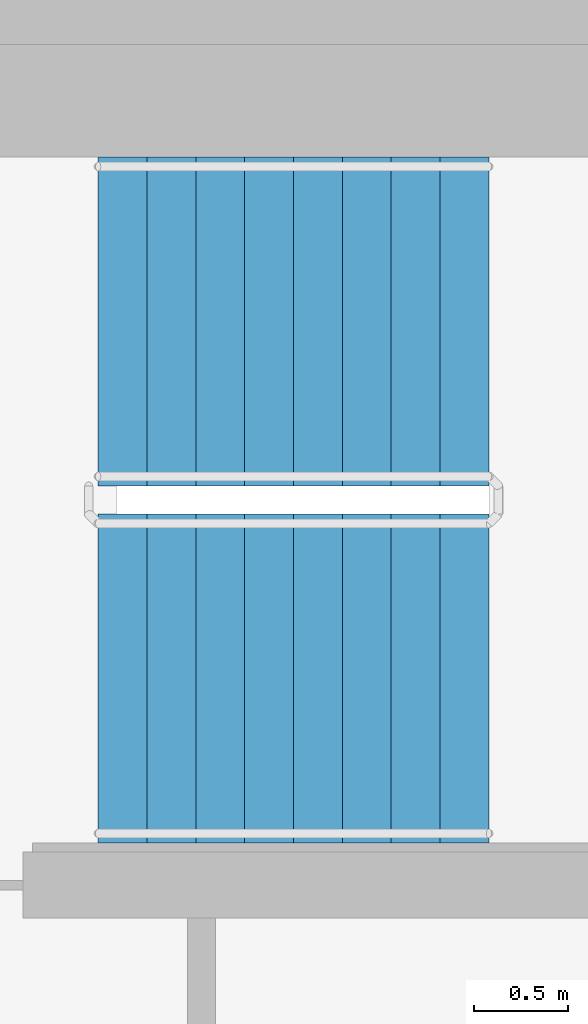
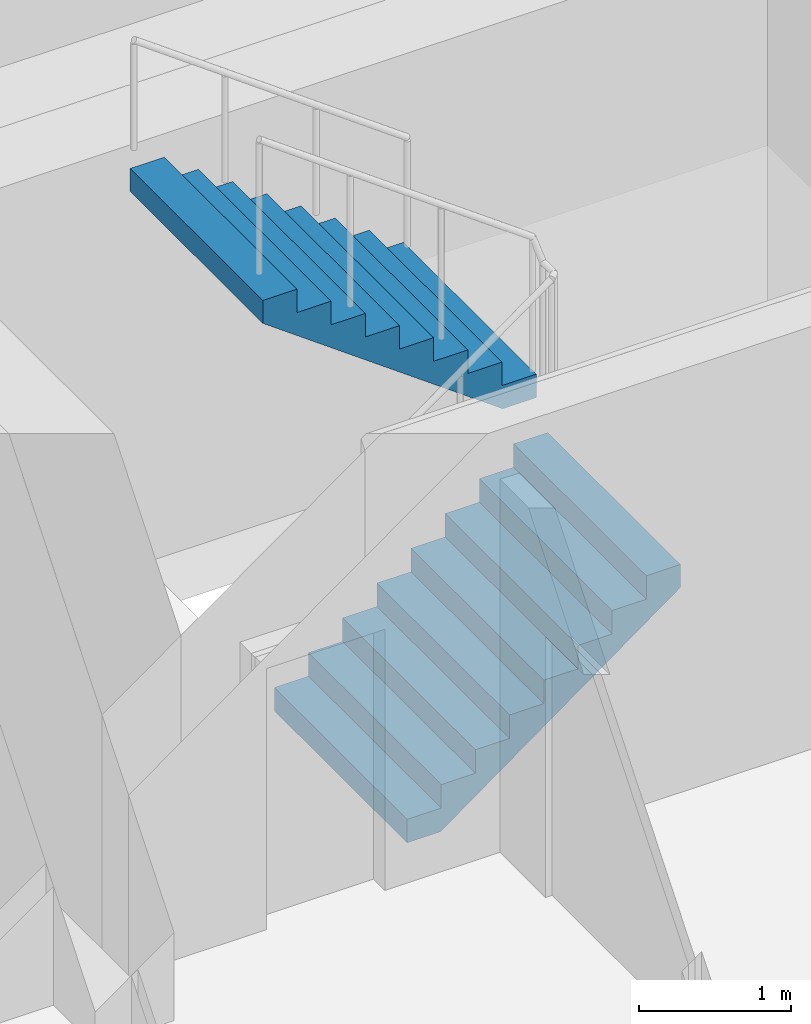
# One storey, part 13 of 18: 2 stair flights, 1 element without a shape of its own.
"""IFC4 building model written with IfcOpenShell, lengths in metres."""

from ifc_helpers import new_model, si_unit, direction, frame, origin, place, context, subcontext, project, spatial, faceted_brep, material, type_object, element, aggregate, save


model = new_model("IFC4")

# Units and contexts
model_context = context("Model", 3, precision=1e-05, world=origin(), true_north=direction((0.0, 1.0)))
body_context = subcontext(model_context, "Body", "Model", "MODEL_VIEW")
ifc_project = project(units=[si_unit("LENGTHUNIT", "METRE"), si_unit("AREAUNIT", "SQUARE_METRE"), si_unit("VOLUMEUNIT", "CUBIC_METRE"), si_unit("PLANEANGLEUNIT", "RADIAN"), si_unit("MASSUNIT", "GRAM", prefix="KILO")], contexts=[model_context])

# Site, building, storey
site_placement = place(None, origin())
site = spatial("IfcSite", under=ifc_project, at=site_placement, CompositionType="ELEMENT")
building_placement = place(site_placement, origin())
building = spatial("IfcBuilding", under=site, at=building_placement, Name="Ipe Terrace Towers", CompositionType="ELEMENT")
storey_placement = place(building_placement, frame((0.0, 0.0, 206.199951171875)))
storey = spatial("IfcBuildingStorey", under=building, at=storey_placement, Name="L57", CompositionType="ELEMENT", Elevation=206.199951171875)

# Stair, stair flights
ifc_material_1 = material(Name="Concrete C30/37", Category="concrete")
stair_type = type_object("IfcStairType", Name="Protected exit stair", PredefinedType="HALF_TURN_STAIR", material=ifc_material_1)
stair_placement = place(storey_placement, origin())
stair = element("IfcStair", 1, at=stair_placement, inside=storey, type_object=stair_type, Name="L57 Exit stair T1-C1", PredefinedType="HALF_TURN_STAIR")
ifc_material_2 = material(Name="Concrete C30/37", Category="concrete")
stair_flight_type = type_object("IfcStairFlightType", Name="Exit stair flight 1750", PredefinedType="STRAIGHT", material=ifc_material_2)
stair_flight_1_placement = place(storey_placement, frame((-26.300048828125, 2.77490234375, 0.0), z_axis=(0.0, 0.0, 1.0), x_axis=(1.0, 0.0, 0.0)))
stair_flight_1 = element("IfcStairFlight", 2, at=stair_flight_1_placement, type_object=stair_flight_type, Name="T1-ST1 flight 1", NumberOfRisers=9, NumberOfTreads=8, PredefinedType="STRAIGHT", RiserHeight=0.188888889, TreadLength=0.26, context=body_context, shape_type="Brep", body=[
    faceted_brep([(0.255126953125, -0.875, 0.0), (2.080078125, -0.875, 1.325927734375), (2.080078125, -0.875, 1.51123046875), (1.820068359375, -0.875, 1.51123046875), (1.820068359375, -0.875, 1.322265625), (1.56005859375, -0.875, 1.322265625), (1.56005859375, -0.875, 1.13330078125), (1.300048828125, -0.875, 1.13330078125), (1.300048828125, -0.875, 0.9443359375), (1.0400390625, -0.875, 0.9443359375), (1.0400390625, -0.875, 0.755615234375), (0.780029296875, -0.875, 0.755615234375), (0.780029296875, -0.875, 0.566650390625), (0.52001953125, -0.875, 0.566650390625), (0.52001953125, -0.875, 0.377685546875), (0.260009765625, -0.875, 0.377685546875), (0.260009765625, -0.875, 0.18896484375), (0.0, -0.875, 0.18896484375), (0.0, -0.875, 0.0), (0.0, 0.875, 0.0), (0.0, 0.875, 0.18896484375), (0.260009765625, 0.875, 0.18896484375), (0.260009765625, 0.875, 0.377685546875), (0.52001953125, 0.875, 0.377685546875), (0.52001953125, 0.875, 0.566650390625), (0.780029296875, 0.875, 0.566650390625), (0.780029296875, 0.875, 0.755615234375), (1.0400390625, 0.875, 0.755615234375), (1.0400390625, 0.875, 0.9443359375), (1.300048828125, 0.875, 0.9443359375), (1.300048828125, 0.875, 1.13330078125), (1.56005859375, 0.875, 1.13330078125), (1.56005859375, 0.875, 1.322265625), (1.820068359375, 0.875, 1.322265625), (1.820068359375, 0.875, 1.51123046875), (2.080078125, 0.875, 1.51123046875), (2.080078125, 0.875, 1.325927734375), (0.255126953125, 0.875, 0.0), (0.0, -0.300048828125, 0.18896484375), (0.0, -0.1201171875, 0.18896484375), (0.0, -0.06005859375, 0.18896484375), (0.0, -0.030029296875, 0.18896484375), (0.0, -0.010009765625, 0.18896484375), (0.0, 0.0, 0.18896484375), (0.0, 0.010009765625, 0.18896484375), (0.0, 0.030029296875, 0.18896484375), (0.0, 0.06005859375, 0.18896484375), (0.0, 0.1201171875, 0.18896484375), (0.0, 0.300048828125, 0.18896484375), (0.0, 0.300048828125, 0.0), (0.0, 0.1201171875, 0.0), (0.0, 0.06005859375, 0.0), (0.0, 0.030029296875, 0.0), (0.0, 0.010009765625, 0.0), (0.0, 0.0, 0.0), (0.0, -0.010009765625, 0.0), (0.0, -0.030029296875, 0.0), (0.0, -0.06005859375, 0.0), (0.0, -0.1201171875, 0.0), (0.0, -0.300048828125, 0.0), (0.260009765625, -0.300048828125, 0.18896484375), (0.260009765625, -0.1201171875, 0.18896484375), (0.260009765625, -0.06005859375, 0.18896484375), (0.260009765625, -0.030029296875, 0.18896484375), (0.260009765625, -0.010009765625, 0.18896484375), (0.260009765625, 0.0, 0.18896484375), (0.260009765625, 0.010009765625, 0.18896484375), (0.260009765625, 0.030029296875, 0.18896484375), (0.260009765625, 0.06005859375, 0.18896484375), (0.260009765625, 0.1201171875, 0.18896484375), (0.260009765625, 0.300048828125, 0.18896484375), (0.260009765625, -0.300048828125, 0.377685546875), (0.260009765625, -0.1201171875, 0.377685546875), (0.260009765625, -0.06005859375, 0.377685546875), (0.260009765625, -0.030029296875, 0.377685546875), (0.260009765625, -0.010009765625, 0.377685546875), (0.260009765625, 0.0, 0.377685546875), (0.260009765625, 0.010009765625, 0.377685546875), (0.260009765625, 0.030029296875, 0.377685546875), (0.260009765625, 0.06005859375, 0.377685546875), (0.260009765625, 0.1201171875, 0.377685546875), (0.260009765625, 0.300048828125, 0.377685546875), (0.52001953125, -0.300048828125, 0.377685546875), (0.52001953125, -0.1201171875, 0.377685546875), (0.52001953125, -0.06005859375, 0.377685546875), (0.52001953125, -0.030029296875, 0.377685546875), (0.52001953125, -0.010009765625, 0.377685546875), (0.52001953125, 0.0, 0.377685546875), (0.52001953125, 0.010009765625, 0.377685546875), (0.52001953125, 0.030029296875, 0.377685546875), (0.52001953125, 0.06005859375, 0.377685546875), (0.52001953125, 0.1201171875, 0.377685546875), (0.52001953125, 0.300048828125, 0.377685546875), (0.52001953125, -0.300048828125, 0.566650390625), (0.52001953125, -0.1201171875, 0.566650390625), (0.52001953125, -0.06005859375, 0.566650390625), (0.52001953125, -0.030029296875, 0.566650390625), (0.52001953125, -0.010009765625, 0.566650390625), (0.52001953125, 0.0, 0.566650390625), (0.52001953125, 0.010009765625, 0.566650390625), (0.52001953125, 0.030029296875, 0.566650390625), (0.52001953125, 0.06005859375, 0.566650390625), (0.52001953125, 0.1201171875, 0.566650390625), (0.52001953125, 0.300048828125, 0.566650390625), (0.780029296875, -0.300048828125, 0.566650390625), (0.780029296875, -0.1201171875, 0.566650390625), (0.780029296875, -0.06005859375, 0.566650390625), (0.780029296875, -0.030029296875, 0.566650390625), (0.780029296875, -0.010009765625, 0.566650390625), (0.780029296875, 0.0, 0.566650390625), (0.780029296875, 0.010009765625, 0.566650390625), (0.780029296875, 0.030029296875, 0.566650390625), (0.780029296875, 0.06005859375, 0.566650390625), (0.780029296875, 0.1201171875, 0.566650390625), (0.780029296875, 0.300048828125, 0.566650390625), (0.780029296875, -0.300048828125, 0.755615234375), (0.780029296875, -0.1201171875, 0.755615234375), (0.780029296875, -0.06005859375, 0.755615234375), (0.780029296875, -0.030029296875, 0.755615234375), (0.780029296875, -0.010009765625, 0.755615234375), (0.780029296875, 0.0, 0.755615234375), (0.780029296875, 0.010009765625, 0.755615234375), (0.780029296875, 0.030029296875, 0.755615234375), (0.780029296875, 0.06005859375, 0.755615234375), (0.780029296875, 0.1201171875, 0.755615234375), (0.780029296875, 0.300048828125, 0.755615234375), (1.0400390625, -0.300048828125, 0.755615234375), (1.0400390625, -0.1201171875, 0.755615234375), (1.0400390625, -0.06005859375, 0.755615234375), (1.0400390625, -0.030029296875, 0.755615234375), (1.0400390625, -0.010009765625, 0.755615234375), (1.0400390625, 0.0, 0.755615234375), (1.0400390625, 0.010009765625, 0.755615234375), (1.0400390625, 0.030029296875, 0.755615234375), (1.0400390625, 0.06005859375, 0.755615234375), (1.0400390625, 0.1201171875, 0.755615234375), (1.0400390625, 0.300048828125, 0.755615234375), (1.0400390625, -0.300048828125, 0.9443359375), (1.0400390625, -0.1201171875, 0.9443359375), (1.0400390625, -0.06005859375, 0.9443359375), (1.0400390625, -0.030029296875, 0.9443359375), (1.0400390625, -0.010009765625, 0.9443359375), (1.0400390625, 0.0, 0.9443359375), (1.0400390625, 0.010009765625, 0.9443359375), (1.0400390625, 0.030029296875, 0.9443359375), (1.0400390625, 0.06005859375, 0.9443359375), (1.0400390625, 0.1201171875, 0.9443359375), (1.0400390625, 0.300048828125, 0.9443359375), (1.300048828125, -0.300048828125, 0.9443359375), (1.300048828125, -0.1201171875, 0.9443359375), (1.300048828125, -0.06005859375, 0.9443359375), (1.300048828125, -0.030029296875, 0.9443359375), (1.300048828125, -0.010009765625, 0.9443359375), (1.300048828125, 0.0, 0.9443359375), (1.300048828125, 0.010009765625, 0.9443359375), (1.300048828125, 0.030029296875, 0.9443359375), (1.300048828125, 0.06005859375, 0.9443359375), (1.300048828125, 0.1201171875, 0.9443359375), (1.300048828125, 0.300048828125, 0.9443359375), (1.300048828125, -0.300048828125, 1.13330078125), (1.300048828125, -0.1201171875, 1.13330078125), (1.300048828125, -0.06005859375, 1.13330078125), (1.300048828125, -0.030029296875, 1.13330078125), (1.300048828125, -0.010009765625, 1.13330078125), (1.300048828125, 0.0, 1.13330078125), (1.300048828125, 0.010009765625, 1.13330078125), (1.300048828125, 0.030029296875, 1.13330078125), (1.300048828125, 0.06005859375, 1.13330078125), (1.300048828125, 0.1201171875, 1.13330078125), (1.300048828125, 0.300048828125, 1.13330078125), (1.56005859375, -0.300048828125, 1.13330078125), (1.56005859375, -0.1201171875, 1.13330078125), (1.56005859375, -0.06005859375, 1.13330078125), (1.56005859375, -0.030029296875, 1.13330078125), (1.56005859375, -0.010009765625, 1.13330078125), (1.56005859375, 0.0, 1.13330078125), (1.56005859375, 0.010009765625, 1.13330078125), (1.56005859375, 0.030029296875, 1.13330078125), (1.56005859375, 0.06005859375, 1.13330078125), (1.56005859375, 0.1201171875, 1.13330078125), (1.56005859375, 0.300048828125, 1.13330078125), (1.56005859375, -0.300048828125, 1.322265625), (1.56005859375, -0.1201171875, 1.322265625), (1.56005859375, -0.06005859375, 1.322265625), (1.56005859375, -0.030029296875, 1.322265625), (1.56005859375, -0.010009765625, 1.322265625), (1.56005859375, 0.0, 1.322265625), (1.56005859375, 0.010009765625, 1.322265625), (1.56005859375, 0.030029296875, 1.322265625), (1.56005859375, 0.06005859375, 1.322265625), (1.56005859375, 0.1201171875, 1.322265625), (1.56005859375, 0.300048828125, 1.322265625), (1.820068359375, -0.300048828125, 1.322265625), (1.820068359375, -0.1201171875, 1.322265625), (1.820068359375, -0.06005859375, 1.322265625), (1.820068359375, -0.030029296875, 1.322265625), (1.820068359375, -0.010009765625, 1.322265625), (1.820068359375, 0.0, 1.322265625), (1.820068359375, 0.010009765625, 1.322265625), (1.820068359375, 0.030029296875, 1.322265625), (1.820068359375, 0.06005859375, 1.322265625), (1.820068359375, 0.1201171875, 1.322265625), (1.820068359375, 0.300048828125, 1.322265625), (1.820068359375, -0.300048828125, 1.51123046875), (1.820068359375, -0.1201171875, 1.51123046875), (1.820068359375, -0.06005859375, 1.51123046875), (1.820068359375, -0.030029296875, 1.51123046875), (1.820068359375, -0.010009765625, 1.51123046875), (1.820068359375, 0.0, 1.51123046875), (1.820068359375, 0.010009765625, 1.51123046875), (1.820068359375, 0.030029296875, 1.51123046875), (1.820068359375, 0.06005859375, 1.51123046875), (1.820068359375, 0.1201171875, 1.51123046875), (1.820068359375, 0.300048828125, 1.51123046875), (2.080078125, -0.300048828125, 1.51123046875), (2.080078125, -0.1201171875, 1.51123046875), (2.080078125, -0.06005859375, 1.51123046875), (2.080078125, -0.030029296875, 1.51123046875), (2.080078125, -0.010009765625, 1.51123046875), (2.080078125, 0.0, 1.51123046875), (2.080078125, 0.010009765625, 1.51123046875), (2.080078125, 0.030029296875, 1.51123046875), (2.080078125, 0.06005859375, 1.51123046875), (2.080078125, 0.1201171875, 1.51123046875), (2.080078125, 0.300048828125, 1.51123046875), (2.080078125, -0.300048828125, 1.325927734375), (2.080078125, -0.1201171875, 1.325927734375), (2.080078125, -0.06005859375, 1.325927734375), (2.080078125, -0.030029296875, 1.325927734375), (2.080078125, -0.010009765625, 1.325927734375), (2.080078125, 0.0, 1.325927734375), (2.080078125, 0.010009765625, 1.325927734375), (2.080078125, 0.030029296875, 1.325927734375), (2.080078125, 0.06005859375, 1.325927734375), (2.080078125, 0.1201171875, 1.325927734375), (2.080078125, 0.300048828125, 1.325927734375), (0.255126953125, -0.300048828125, 0.0), (0.255126953125, -0.1201171875, 0.0), (0.255126953125, -0.06005859375, 0.0), (0.255126953125, -0.030029296875, 0.0), (0.255126953125, -0.010009765625, 0.0), (0.255126953125, 0.0, 0.0), (0.255126953125, 0.010009765625, 0.0), (0.255126953125, 0.030029296875, 0.0), (0.255126953125, 0.06005859375, 0.0), (0.255126953125, 0.1201171875, 0.0), (0.255126953125, 0.300048828125, 0.0)], [[[0, 1, 2, 3, 4, 5, 6, 7, 8, 9, 10, 11, 12, 13, 14, 15, 16, 17, 18]], [[19, 20, 21, 22, 23, 24, 25, 26, 27, 28, 29, 30, 31, 32, 33, 34, 35, 36, 37]], [[17, 38, 39, 40, 41, 42, 43, 44, 45, 46, 47, 48, 20, 19, 49, 50, 51, 52, 53, 54, 55, 56, 57, 58, 59, 18]], [[16, 60, 61, 62, 63, 64, 65, 66, 67, 68, 69, 70, 21, 20, 48, 47, 46, 45, 44, 43, 42, 41, 40, 39, 38, 17]], [[15, 71, 72, 73, 74, 75, 76, 77, 78, 79, 80, 81, 22, 21, 70, 69, 68, 67, 66, 65, 64, 63, 62, 61, 60, 16]], [[14, 82, 83, 84, 85, 86, 87, 88, 89, 90, 91, 92, 23, 22, 81, 80, 79, 78, 77, 76, 75, 74, 73, 72, 71, 15]], [[13, 93, 94, 95, 96, 97, 98, 99, 100, 101, 102, 103, 24, 23, 92, 91, 90, 89, 88, 87, 86, 85, 84, 83, 82, 14]], [[12, 104, 105, 106, 107, 108, 109, 110, 111, 112, 113, 114, 25, 24, 103, 102, 101, 100, 99, 98, 97, 96, 95, 94, 93, 13]], [[11, 115, 116, 117, 118, 119, 120, 121, 122, 123, 124, 125, 26, 25, 114, 113, 112, 111, 110, 109, 108, 107, 106, 105, 104, 12]], [[10, 126, 127, 128, 129, 130, 131, 132, 133, 134, 135, 136, 27, 26, 125, 124, 123, 122, 121, 120, 119, 118, 117, 116, 115, 11]], [[9, 137, 138, 139, 140, 141, 142, 143, 144, 145, 146, 147, 28, 27, 136, 135, 134, 133, 132, 131, 130, 129, 128, 127, 126, 10]], [[8, 148, 149, 150, 151, 152, 153, 154, 155, 156, 157, 158, 29, 28, 147, 146, 145, 144, 143, 142, 141, 140, 139, 138, 137, 9]], [[7, 159, 160, 161, 162, 163, 164, 165, 166, 167, 168, 169, 30, 29, 158, 157, 156, 155, 154, 153, 152, 151, 150, 149, 148, 8]], [[6, 170, 171, 172, 173, 174, 175, 176, 177, 178, 179, 180, 31, 30, 169, 168, 167, 166, 165, 164, 163, 162, 161, 160, 159, 7]], [[5, 181, 182, 183, 184, 185, 186, 187, 188, 189, 190, 191, 32, 31, 180, 179, 178, 177, 176, 175, 174, 173, 172, 171, 170, 6]], [[4, 192, 193, 194, 195, 196, 197, 198, 199, 200, 201, 202, 33, 32, 191, 190, 189, 188, 187, 186, 185, 184, 183, 182, 181, 5]], [[3, 203, 204, 205, 206, 207, 208, 209, 210, 211, 212, 213, 34, 33, 202, 201, 200, 199, 198, 197, 196, 195, 194, 193, 192, 4]], [[2, 214, 215, 216, 217, 218, 219, 220, 221, 222, 223, 224, 35, 34, 213, 212, 211, 210, 209, 208, 207, 206, 205, 204, 203, 3]], [[1, 225, 226, 227, 228, 229, 230, 231, 232, 233, 234, 235, 36, 35, 224, 223, 222, 221, 220, 219, 218, 217, 216, 215, 214, 2]], [[0, 236, 237, 238, 239, 240, 241, 242, 243, 244, 245, 246, 37, 36, 235, 234, 233, 232, 231, 230, 229, 228, 227, 226, 225, 1]], [[18, 59, 58, 57, 56, 55, 54, 53, 52, 51, 50, 49, 19, 37, 246, 245, 244, 243, 242, 241, 240, 239, 238, 237, 236, 0]]]),
])
stair_flight_2_placement = place(storey_placement, frame((-24.219970703125, 4.675048828125, 1.699951171875), z_axis=(0.0, 0.0, 1.0), x_axis=(-1.0, 0.0, 0.0)))
stair_flight_2 = element("IfcStairFlight", 3, at=stair_flight_2_placement, type_object=stair_flight_type, Name="T1-ST1 flight 2", NumberOfRisers=9, NumberOfTreads=8, PredefinedType="STRAIGHT", RiserHeight=0.188888889, TreadLength=0.26, context=body_context, shape_type="Brep", body=[
    faceted_brep([(0.255126953125, -0.875, 0.0), (2.080078125, -0.875, 1.325927734375), (2.080078125, -0.875, 1.51123046875), (1.820068359375, -0.875, 1.51123046875), (1.820068359375, -0.875, 1.322265625), (1.56005859375, -0.875, 1.322265625), (1.56005859375, -0.875, 1.13330078125), (1.300048828125, -0.875, 1.13330078125), (1.300048828125, -0.875, 0.9443359375), (1.0400390625, -0.875, 0.9443359375), (1.0400390625, -0.875, 0.755615234375), (0.780029296875, -0.875, 0.755615234375), (0.780029296875, -0.875, 0.566650390625), (0.52001953125, -0.875, 0.566650390625), (0.52001953125, -0.875, 0.377685546875), (0.260009765625, -0.875, 0.377685546875), (0.260009765625, -0.875, 0.18896484375), (0.0, -0.875, 0.18896484375), (0.0, -0.875, 0.0), (0.0, 0.875, 0.0), (0.0, 0.875, 0.18896484375), (0.260009765625, 0.875, 0.18896484375), (0.260009765625, 0.875, 0.377685546875), (0.52001953125, 0.875, 0.377685546875), (0.52001953125, 0.875, 0.566650390625), (0.780029296875, 0.875, 0.566650390625), (0.780029296875, 0.875, 0.755615234375), (1.0400390625, 0.875, 0.755615234375), (1.0400390625, 0.875, 0.9443359375), (1.300048828125, 0.875, 0.9443359375), (1.300048828125, 0.875, 1.13330078125), (1.56005859375, 0.875, 1.13330078125), (1.56005859375, 0.875, 1.322265625), (1.820068359375, 0.875, 1.322265625), (1.820068359375, 0.875, 1.51123046875), (2.080078125, 0.875, 1.51123046875), (2.080078125, 0.875, 1.325927734375), (0.255126953125, 0.875, 0.0), (0.0, -0.300048828125, 0.18896484375), (0.0, -0.1201171875, 0.18896484375), (0.0, -0.06005859375, 0.18896484375), (0.0, -0.030029296875, 0.18896484375), (0.0, -0.010009765625, 0.18896484375), (0.0, 0.0, 0.18896484375), (0.0, 0.010009765625, 0.18896484375), (0.0, 0.030029296875, 0.18896484375), (0.0, 0.06005859375, 0.18896484375), (0.0, 0.1201171875, 0.18896484375), (0.0, 0.300048828125, 0.18896484375), (0.0, 0.300048828125, 0.0), (0.0, 0.1201171875, 0.0), (0.0, 0.06005859375, 0.0), (0.0, 0.030029296875, 0.0), (0.0, 0.010009765625, 0.0), (0.0, 0.0, 0.0), (0.0, -0.010009765625, 0.0), (0.0, -0.030029296875, 0.0), (0.0, -0.06005859375, 0.0), (0.0, -0.1201171875, 0.0), (0.0, -0.300048828125, 0.0), (0.260009765625, -0.300048828125, 0.18896484375), (0.260009765625, -0.1201171875, 0.18896484375), (0.260009765625, -0.06005859375, 0.18896484375), (0.260009765625, -0.030029296875, 0.18896484375), (0.260009765625, -0.010009765625, 0.18896484375), (0.260009765625, 0.0, 0.18896484375), (0.260009765625, 0.010009765625, 0.18896484375), (0.260009765625, 0.030029296875, 0.18896484375), (0.260009765625, 0.06005859375, 0.18896484375), (0.260009765625, 0.1201171875, 0.18896484375), (0.260009765625, 0.300048828125, 0.18896484375), (0.260009765625, -0.300048828125, 0.377685546875), (0.260009765625, -0.1201171875, 0.377685546875), (0.260009765625, -0.06005859375, 0.377685546875), (0.260009765625, -0.030029296875, 0.377685546875), (0.260009765625, -0.010009765625, 0.377685546875), (0.260009765625, 0.0, 0.377685546875), (0.260009765625, 0.010009765625, 0.377685546875), (0.260009765625, 0.030029296875, 0.377685546875), (0.260009765625, 0.06005859375, 0.377685546875), (0.260009765625, 0.1201171875, 0.377685546875), (0.260009765625, 0.300048828125, 0.377685546875), (0.52001953125, -0.300048828125, 0.377685546875), (0.52001953125, -0.1201171875, 0.377685546875), (0.52001953125, -0.06005859375, 0.377685546875), (0.52001953125, -0.030029296875, 0.377685546875), (0.52001953125, -0.010009765625, 0.377685546875), (0.52001953125, 0.0, 0.377685546875), (0.52001953125, 0.010009765625, 0.377685546875), (0.52001953125, 0.030029296875, 0.377685546875), (0.52001953125, 0.06005859375, 0.377685546875), (0.52001953125, 0.1201171875, 0.377685546875), (0.52001953125, 0.300048828125, 0.377685546875), (0.52001953125, -0.300048828125, 0.566650390625), (0.52001953125, -0.1201171875, 0.566650390625), (0.52001953125, -0.06005859375, 0.566650390625), (0.52001953125, -0.030029296875, 0.566650390625), (0.52001953125, -0.010009765625, 0.566650390625), (0.52001953125, 0.0, 0.566650390625), (0.52001953125, 0.010009765625, 0.566650390625), (0.52001953125, 0.030029296875, 0.566650390625), (0.52001953125, 0.06005859375, 0.566650390625), (0.52001953125, 0.1201171875, 0.566650390625), (0.52001953125, 0.300048828125, 0.566650390625), (0.780029296875, -0.300048828125, 0.566650390625), (0.780029296875, -0.1201171875, 0.566650390625), (0.780029296875, -0.06005859375, 0.566650390625), (0.780029296875, -0.030029296875, 0.566650390625), (0.780029296875, -0.010009765625, 0.566650390625), (0.780029296875, 0.0, 0.566650390625), (0.780029296875, 0.010009765625, 0.566650390625), (0.780029296875, 0.030029296875, 0.566650390625), (0.780029296875, 0.06005859375, 0.566650390625), (0.780029296875, 0.1201171875, 0.566650390625), (0.780029296875, 0.300048828125, 0.566650390625), (0.780029296875, -0.300048828125, 0.755615234375), (0.780029296875, -0.1201171875, 0.755615234375), (0.780029296875, -0.06005859375, 0.755615234375), (0.780029296875, -0.030029296875, 0.755615234375), (0.780029296875, -0.010009765625, 0.755615234375), (0.780029296875, 0.0, 0.755615234375), (0.780029296875, 0.010009765625, 0.755615234375), (0.780029296875, 0.030029296875, 0.755615234375), (0.780029296875, 0.06005859375, 0.755615234375), (0.780029296875, 0.1201171875, 0.755615234375), (0.780029296875, 0.300048828125, 0.755615234375), (1.0400390625, -0.300048828125, 0.755615234375), (1.0400390625, -0.1201171875, 0.755615234375), (1.0400390625, -0.06005859375, 0.755615234375), (1.0400390625, -0.030029296875, 0.755615234375), (1.0400390625, -0.010009765625, 0.755615234375), (1.0400390625, 0.0, 0.755615234375), (1.0400390625, 0.010009765625, 0.755615234375), (1.0400390625, 0.030029296875, 0.755615234375), (1.0400390625, 0.06005859375, 0.755615234375), (1.0400390625, 0.1201171875, 0.755615234375), (1.0400390625, 0.300048828125, 0.755615234375), (1.0400390625, -0.300048828125, 0.9443359375), (1.0400390625, -0.1201171875, 0.9443359375), (1.0400390625, -0.06005859375, 0.9443359375), (1.0400390625, -0.030029296875, 0.9443359375), (1.0400390625, -0.010009765625, 0.9443359375), (1.0400390625, 0.0, 0.9443359375), (1.0400390625, 0.010009765625, 0.9443359375), (1.0400390625, 0.030029296875, 0.9443359375), (1.0400390625, 0.06005859375, 0.9443359375), (1.0400390625, 0.1201171875, 0.9443359375), (1.0400390625, 0.300048828125, 0.9443359375), (1.300048828125, -0.300048828125, 0.9443359375), (1.300048828125, -0.1201171875, 0.9443359375), (1.300048828125, -0.06005859375, 0.9443359375), (1.300048828125, -0.030029296875, 0.9443359375), (1.300048828125, -0.010009765625, 0.9443359375), (1.300048828125, 0.0, 0.9443359375), (1.300048828125, 0.010009765625, 0.9443359375), (1.300048828125, 0.030029296875, 0.9443359375), (1.300048828125, 0.06005859375, 0.9443359375), (1.300048828125, 0.1201171875, 0.9443359375), (1.300048828125, 0.300048828125, 0.9443359375), (1.300048828125, -0.300048828125, 1.13330078125), (1.300048828125, -0.1201171875, 1.13330078125), (1.300048828125, -0.06005859375, 1.13330078125), (1.300048828125, -0.030029296875, 1.13330078125), (1.300048828125, -0.010009765625, 1.13330078125), (1.300048828125, 0.0, 1.13330078125), (1.300048828125, 0.010009765625, 1.13330078125), (1.300048828125, 0.030029296875, 1.13330078125), (1.300048828125, 0.06005859375, 1.13330078125), (1.300048828125, 0.1201171875, 1.13330078125), (1.300048828125, 0.300048828125, 1.13330078125), (1.56005859375, -0.300048828125, 1.13330078125), (1.56005859375, -0.1201171875, 1.13330078125), (1.56005859375, -0.06005859375, 1.13330078125), (1.56005859375, -0.030029296875, 1.13330078125), (1.56005859375, -0.010009765625, 1.13330078125), (1.56005859375, 0.0, 1.13330078125), (1.56005859375, 0.010009765625, 1.13330078125), (1.56005859375, 0.030029296875, 1.13330078125), (1.56005859375, 0.06005859375, 1.13330078125), (1.56005859375, 0.1201171875, 1.13330078125), (1.56005859375, 0.300048828125, 1.13330078125), (1.56005859375, -0.300048828125, 1.322265625), (1.56005859375, -0.1201171875, 1.322265625), (1.56005859375, -0.06005859375, 1.322265625), (1.56005859375, -0.030029296875, 1.322265625), (1.56005859375, -0.010009765625, 1.322265625), (1.56005859375, 0.0, 1.322265625), (1.56005859375, 0.010009765625, 1.322265625), (1.56005859375, 0.030029296875, 1.322265625), (1.56005859375, 0.06005859375, 1.322265625), (1.56005859375, 0.1201171875, 1.322265625), (1.56005859375, 0.300048828125, 1.322265625), (1.820068359375, -0.300048828125, 1.322265625), (1.820068359375, -0.1201171875, 1.322265625), (1.820068359375, -0.06005859375, 1.322265625), (1.820068359375, -0.030029296875, 1.322265625), (1.820068359375, -0.010009765625, 1.322265625), (1.820068359375, 0.0, 1.322265625), (1.820068359375, 0.010009765625, 1.322265625), (1.820068359375, 0.030029296875, 1.322265625), (1.820068359375, 0.06005859375, 1.322265625), (1.820068359375, 0.1201171875, 1.322265625), (1.820068359375, 0.300048828125, 1.322265625), (1.820068359375, -0.300048828125, 1.51123046875), (1.820068359375, -0.1201171875, 1.51123046875), (1.820068359375, -0.06005859375, 1.51123046875), (1.820068359375, -0.030029296875, 1.51123046875), (1.820068359375, -0.010009765625, 1.51123046875), (1.820068359375, 0.0, 1.51123046875), (1.820068359375, 0.010009765625, 1.51123046875), (1.820068359375, 0.030029296875, 1.51123046875), (1.820068359375, 0.06005859375, 1.51123046875), (1.820068359375, 0.1201171875, 1.51123046875), (1.820068359375, 0.300048828125, 1.51123046875), (2.080078125, -0.300048828125, 1.51123046875), (2.080078125, -0.1201171875, 1.51123046875), (2.080078125, -0.06005859375, 1.51123046875), (2.080078125, -0.030029296875, 1.51123046875), (2.080078125, -0.010009765625, 1.51123046875), (2.080078125, 0.0, 1.51123046875), (2.080078125, 0.010009765625, 1.51123046875), (2.080078125, 0.030029296875, 1.51123046875), (2.080078125, 0.06005859375, 1.51123046875), (2.080078125, 0.1201171875, 1.51123046875), (2.080078125, 0.300048828125, 1.51123046875), (2.080078125, -0.300048828125, 1.325927734375), (2.080078125, -0.1201171875, 1.325927734375), (2.080078125, -0.06005859375, 1.325927734375), (2.080078125, -0.030029296875, 1.325927734375), (2.080078125, -0.010009765625, 1.325927734375), (2.080078125, 0.0, 1.325927734375), (2.080078125, 0.010009765625, 1.325927734375), (2.080078125, 0.030029296875, 1.325927734375), (2.080078125, 0.06005859375, 1.325927734375), (2.080078125, 0.1201171875, 1.325927734375), (2.080078125, 0.300048828125, 1.325927734375), (0.255126953125, -0.300048828125, 0.0), (0.255126953125, -0.1201171875, 0.0), (0.255126953125, -0.06005859375, 0.0), (0.255126953125, -0.030029296875, 0.0), (0.255126953125, -0.010009765625, 0.0), (0.255126953125, 0.0, 0.0), (0.255126953125, 0.010009765625, 0.0), (0.255126953125, 0.030029296875, 0.0), (0.255126953125, 0.06005859375, 0.0), (0.255126953125, 0.1201171875, 0.0), (0.255126953125, 0.300048828125, 0.0)], [[[0, 1, 2, 3, 4, 5, 6, 7, 8, 9, 10, 11, 12, 13, 14, 15, 16, 17, 18]], [[19, 20, 21, 22, 23, 24, 25, 26, 27, 28, 29, 30, 31, 32, 33, 34, 35, 36, 37]], [[17, 38, 39, 40, 41, 42, 43, 44, 45, 46, 47, 48, 20, 19, 49, 50, 51, 52, 53, 54, 55, 56, 57, 58, 59, 18]], [[16, 60, 61, 62, 63, 64, 65, 66, 67, 68, 69, 70, 21, 20, 48, 47, 46, 45, 44, 43, 42, 41, 40, 39, 38, 17]], [[15, 71, 72, 73, 74, 75, 76, 77, 78, 79, 80, 81, 22, 21, 70, 69, 68, 67, 66, 65, 64, 63, 62, 61, 60, 16]], [[14, 82, 83, 84, 85, 86, 87, 88, 89, 90, 91, 92, 23, 22, 81, 80, 79, 78, 77, 76, 75, 74, 73, 72, 71, 15]], [[13, 93, 94, 95, 96, 97, 98, 99, 100, 101, 102, 103, 24, 23, 92, 91, 90, 89, 88, 87, 86, 85, 84, 83, 82, 14]], [[12, 104, 105, 106, 107, 108, 109, 110, 111, 112, 113, 114, 25, 24, 103, 102, 101, 100, 99, 98, 97, 96, 95, 94, 93, 13]], [[11, 115, 116, 117, 118, 119, 120, 121, 122, 123, 124, 125, 26, 25, 114, 113, 112, 111, 110, 109, 108, 107, 106, 105, 104, 12]], [[10, 126, 127, 128, 129, 130, 131, 132, 133, 134, 135, 136, 27, 26, 125, 124, 123, 122, 121, 120, 119, 118, 117, 116, 115, 11]], [[9, 137, 138, 139, 140, 141, 142, 143, 144, 145, 146, 147, 28, 27, 136, 135, 134, 133, 132, 131, 130, 129, 128, 127, 126, 10]], [[8, 148, 149, 150, 151, 152, 153, 154, 155, 156, 157, 158, 29, 28, 147, 146, 145, 144, 143, 142, 141, 140, 139, 138, 137, 9]], [[7, 159, 160, 161, 162, 163, 164, 165, 166, 167, 168, 169, 30, 29, 158, 157, 156, 155, 154, 153, 152, 151, 150, 149, 148, 8]], [[6, 170, 171, 172, 173, 174, 175, 176, 177, 178, 179, 180, 31, 30, 169, 168, 167, 166, 165, 164, 163, 162, 161, 160, 159, 7]], [[5, 181, 182, 183, 184, 185, 186, 187, 188, 189, 190, 191, 32, 31, 180, 179, 178, 177, 176, 175, 174, 173, 172, 171, 170, 6]], [[4, 192, 193, 194, 195, 196, 197, 198, 199, 200, 201, 202, 33, 32, 191, 190, 189, 188, 187, 186, 185, 184, 183, 182, 181, 5]], [[3, 203, 204, 205, 206, 207, 208, 209, 210, 211, 212, 213, 34, 33, 202, 201, 200, 199, 198, 197, 196, 195, 194, 193, 192, 4]], [[2, 214, 215, 216, 217, 218, 219, 220, 221, 222, 223, 224, 35, 34, 213, 212, 211, 210, 209, 208, 207, 206, 205, 204, 203, 3]], [[1, 225, 226, 227, 228, 229, 230, 231, 232, 233, 234, 235, 36, 35, 224, 223, 222, 221, 220, 219, 218, 217, 216, 215, 214, 2]], [[0, 236, 237, 238, 239, 240, 241, 242, 243, 244, 245, 246, 37, 36, 235, 234, 233, 232, 231, 230, 229, 228, 227, 226, 225, 1]], [[18, 59, 58, 57, 56, 55, 54, 53, 52, 51, 50, 49, 19, 37, 246, 245, 244, 243, 242, 241, 240, 239, 238, 237, 236, 0]]]),
])
aggregate(stair, [stair_flight_1, stair_flight_2])

save(model, "model.ifc")
